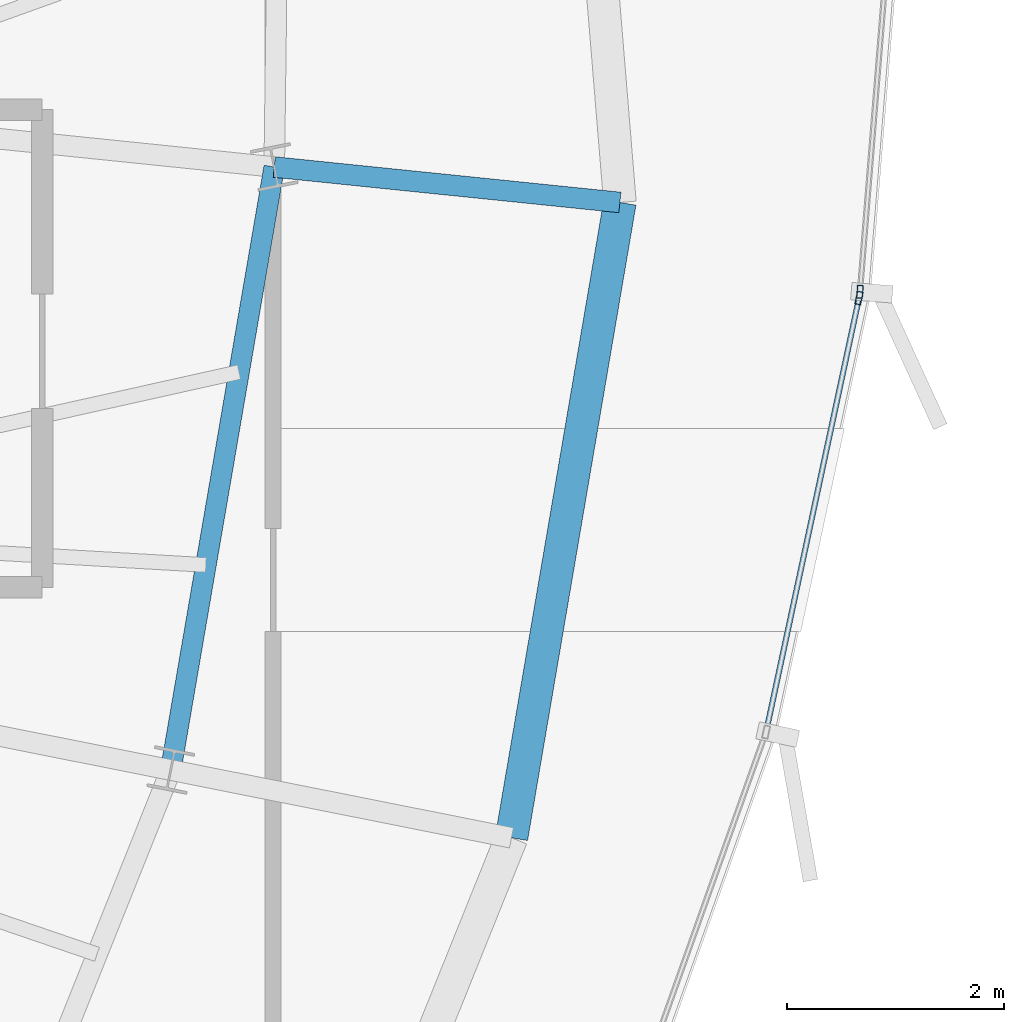
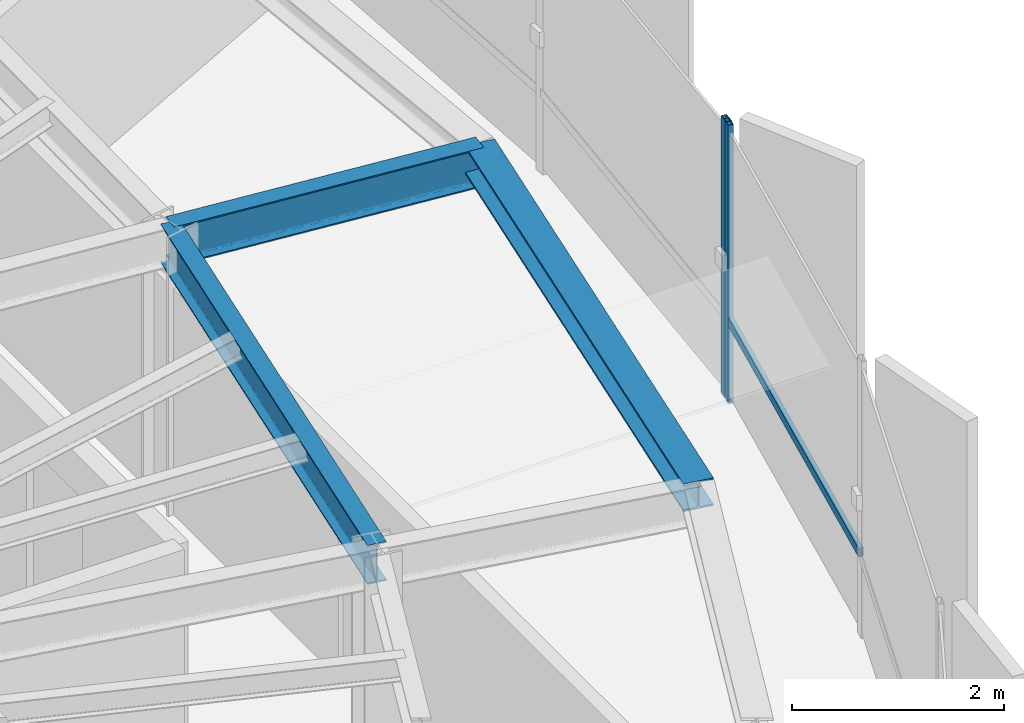
# One storey, part 14 of 31: 3 beams, 3 members, 2 elements without a shape of their own.
"""IFC4 building model written with IfcOpenShell, lengths in metres."""

from ifc_helpers import new_model, si_unit, direction, frame, origin, origin_2d, place, context, subcontext, project, spatial, hollow_rectangle, i_section, extrude, source, transform, mapped, material, layer, layer_set, material_profile, profile_set, type_object, element, aggregate, save


model = new_model("IFC4")

# Units and contexts
model_context = context("Model", 3, precision=1e-05, world=origin(), true_north=direction((0.0, 1.0)))
body_context = subcontext(model_context, "Body", "Model", "MODEL_VIEW")
ifc_project = project(units=[si_unit("LENGTHUNIT", "METRE"), si_unit("AREAUNIT", "SQUARE_METRE"), si_unit("VOLUMEUNIT", "CUBIC_METRE"), si_unit("PLANEANGLEUNIT", "RADIAN"), si_unit("MASSUNIT", "GRAM", prefix="KILO"), si_unit("THERMODYNAMICTEMPERATUREUNIT", "KELVIN")], contexts=[model_context])

# Site, building, storey
site_placement = place(None, origin())
site = spatial("IfcSite", under=ifc_project, at=site_placement, CompositionType="ELEMENT")
building_placement = place(site_placement, origin())
building = spatial("IfcBuilding", under=site, at=building_placement, Name="Kethvar Cultural Tower", CompositionType="ELEMENT")
storey_placement = place(building_placement, frame((0.0, 0.0, 269.800048828125)))
storey = spatial("IfcBuildingStorey", under=building, at=storey_placement, Name="L71", CompositionType="ELEMENT", Elevation=269.800048828125)

# Beams
ifc_material_1 = material(Name="Steel S355J2", Category="steel")
ifc_material_profile_1 = material_profile(ifc_material_1, i_section(OverallWidth=0.18994140625, OverallDepth=0.449951171875, WebThickness=0.009521484375, FlangeThickness=0.0146484375, FilletRadius=0.02099609375, at=origin_2d()), Name="Steel S355J2 — IPE450")
ifc_profile_set_1 = profile_set([ifc_material_profile_1], Name="Steel S355J2 — IPE450")
beam_type_1 = type_object("IfcBeamType", Name="BM-IPE450", PredefinedType="BEAM", material=ifc_profile_set_1)
shared_shape_1 = source(origin(), body_context, "Body", "SweptSolid", [
    extrude(i_section(OverallWidth=0.18994140625, OverallDepth=0.449951171875, WebThickness=0.009521484375, FlangeThickness=0.0146484375, FilletRadius=0.02099609375, at=origin_2d()), origin(), (0.0, 0.0, 1.0), 3.199951171875),
])
beam_1_placement = place(storey_placement, frame((61.237060546875, 30.671630859375, 2.98291015625), z_axis=(0.994784019447, -0.10200369921, 0.0), x_axis=(0.10200369921, 0.994784019447, 0.0)))
element("IfcBeam", 1, at=beam_1_placement, inside=storey, type_object=beam_type_1, Name="L71 Perimeter Cantilever Beam RC-01", PredefinedType="BEAM", context=body_context, shape_type="MappedRepresentation", body=[
    mapped(shared_shape_1, transform((0.0, 0.0, 0.0), scale=1.0)),
])
shared_shape_2 = source(origin(), body_context, "Body", "SweptSolid", [
    extrude(i_section(OverallWidth=0.18994140625, OverallDepth=0.449951171875, WebThickness=0.009521484375, FlangeThickness=0.0146484375, FilletRadius=0.02099609375, at=origin_2d()), origin(), (0.0, 0.0, 1.0), 5.635009765625),
])
beam_2_placement = place(storey_placement, frame((60.28369140625, 25.117919921875, 2.98291015625), z_axis=(0.169188687614, 0.985583678834, 0.0), x_axis=(-0.985583678834, 0.169188687614, 0.0)))
element("IfcBeam", 2, at=beam_2_placement, inside=storey, type_object=beam_type_1, Name="L71 Column Ring Tie Beam CR-16", PredefinedType="BEAM", context=body_context, shape_type="MappedRepresentation", body=[
    mapped(shared_shape_2, transform((0.0, 0.0, 0.0), scale=1.0)),
])
ifc_material_profile_2 = material_profile(ifc_material_1, i_section(OverallWidth=0.300048828125, OverallDepth=0.320068359375, WebThickness=0.011474609375, FlangeThickness=0.0205078125, FilletRadius=0.027099609375, at=origin_2d()), Name="Steel S355J2 — HEB320")
ifc_profile_set_2 = profile_set([ifc_material_profile_2], Name="Steel S355J2 — HEB320")
beam_type_2 = type_object("IfcBeamType", Name="BM-SP320", PredefinedType="SPANDREL", material=ifc_profile_set_2)
shared_shape_3 = source(origin(), body_context, "Body", "SweptSolid", [
    extrude(i_section(OverallWidth=0.300048828125, OverallDepth=0.320068359375, WebThickness=0.011474609375, FlangeThickness=0.0205078125, FilletRadius=0.027099609375, at=origin_2d()), origin(), (0.0, 0.0, 1.0), 5.93603515625),
])
beam_3_placement = place(storey_placement, frame((63.422119140625, 24.49365234375, 3.0478515625), z_axis=(0.16817267321, 0.985757552335, 0.0), x_axis=(-0.985757552335, 0.16817267321, 0.0)))
element("IfcBeam", 3, at=beam_3_placement, inside=storey, type_object=beam_type_2, Name="L71 Perimeter Spandrel Beam SP-16", PredefinedType="SPANDREL", context=body_context, shape_type="MappedRepresentation", body=[
    mapped(shared_shape_3, transform((0.0, 0.0, 0.0), scale=1.0)),
])

# Curtain wall, member
ifc_material_2 = material(Name="Aluminium 6063-T6", Category="aluminium")
ifc_layer = layer(ifc_material_2, 0.179931640625, Name="Aluminium 6063-T6", Category="aluminium")
ifc_layer_set = layer_set([ifc_layer], Name="Aluminium 6063-T6 (180 mm)")
curtain_wall_type = type_object("IfcCurtainWallType", Name="CW-SYS-05-Z56", PredefinedType="NOTDEFINED", material=ifc_layer_set)
curtain_wall_1_placement = place(storey_placement, origin())
curtain_wall_1 = element("IfcCurtainWall", 4, at=curtain_wall_1_placement, inside=storey, type_object=curtain_wall_type, Name="L71 Curtain Wall Run 05", PredefinedType="NOTDEFINED")
ifc_material_profile_3 = material_profile(ifc_material_2, hollow_rectangle(XDim=0.054931640625, YDim=0.1201171875, WallThickness=0.00390625, at=origin_2d()), Name="Aluminium 6063-T6 — RHS120x55x4")
ifc_profile_set_3 = profile_set([ifc_material_profile_3], Name="Aluminium 6063-T6 — RHS120x55x4")
member_type_1 = type_object("IfcMemberType", Name="CW-SYS-05-Z56-MUL", PredefinedType="MULLION", material=ifc_profile_set_3)
shared_shape_4 = source(origin(), body_context, "Body", "SweptSolid", [
    extrude(hollow_rectangle(XDim=0.054931640625, YDim=0.1201171875, WallThickness=0.00390625, at=origin_2d()), origin(), (0.0, 0.0, 1.0), 3.2099609375),
])
member_1_placement = place(storey_placement, frame((66.62255859375, 29.46484375, 0.0), z_axis=(0.0, 0.0, 1.0), x_axis=(-0.977834427046, 0.209379639133, 0.0)))
member_1 = element("IfcMember", 5, at=member_1_placement, type_object=member_type_1, Name="CW-L71-R05 Mullion 7", PredefinedType="MULLION", context=body_context, shape_type="MappedRepresentation", body=[
    mapped(shared_shape_4, transform((0.0, 0.0, 0.0), scale=1.0)),
])

curtain_wall_2_placement = place(storey_placement, origin())
curtain_wall_2 = element("IfcCurtainWall", 6, at=curtain_wall_2_placement, inside=storey, type_object=curtain_wall_type, Name="L71 Curtain Wall Run 06", PredefinedType="NOTDEFINED")
member_2_placement = place(storey_placement, frame((66.631103515625, 29.522705078125, 0.0), z_axis=(0.0, 0.0, 1.0), x_axis=(-0.996721234108, 0.080912183742, 0.0)))
member_2 = element("IfcMember", 7, at=member_2_placement, type_object=member_type_1, Name="CW-L71-R06 Mullion 1", PredefinedType="MULLION", context=body_context, shape_type="MappedRepresentation", body=[
    mapped(shared_shape_4, transform((0.0, 0.0, 0.0), scale=1.0)),
])
aggregate(curtain_wall_2, [member_2])

# Member
ifc_material_profile_4 = material_profile(ifc_material_2, hollow_rectangle(XDim=0.050048828125, YDim=0.10009765625, WallThickness=0.00390625, at=origin_2d()), Name="Aluminium 6063-T6 — RHS100x50x4")
ifc_profile_set_4 = profile_set([ifc_material_profile_4], Name="Aluminium 6063-T6 — RHS100x50x4")
member_type_2 = type_object("IfcMemberType", Name="CW-SYS-05-Z56-TRN", PredefinedType="USERDEFINED", material=ifc_profile_set_4)
shared_shape_5 = source(origin(), body_context, "Body", "SweptSolid", [
    extrude(hollow_rectangle(XDim=0.050048828125, YDim=0.10009765625, WallThickness=0.00390625, at=origin_2d()), origin(), (0.0, 0.0, 1.0), 4.04443359375),
])
member_3_placement = place(storey_placement, frame((65.77490234375, 25.50634765625, 0.949951171875), z_axis=(0.209401292805, 0.977829790184, 0.0), x_axis=(-0.977829790184, 0.209401292805, 0.0)))
member_3 = element("IfcMember", 8, at=member_3_placement, type_object=member_type_2, Name="CW-L71-R05 Transom 6", ObjectType="TRANSOM", PredefinedType="USERDEFINED", context=body_context, shape_type="MappedRepresentation", body=[
    mapped(shared_shape_5, transform((0.0, 0.0, 0.0), scale=1.0)),
])

aggregate(curtain_wall_1, [member_1, member_3])

save(model, "model.ifc")
